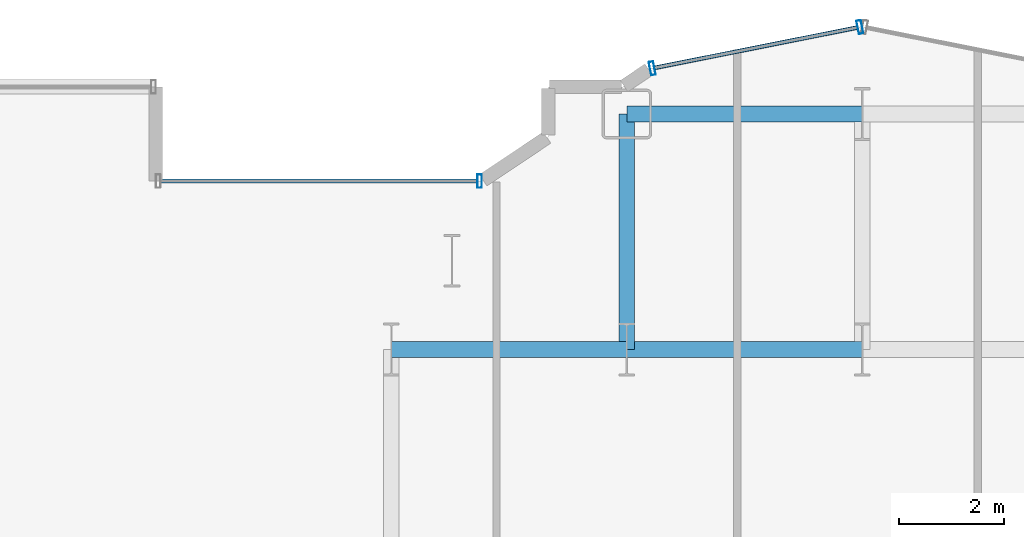
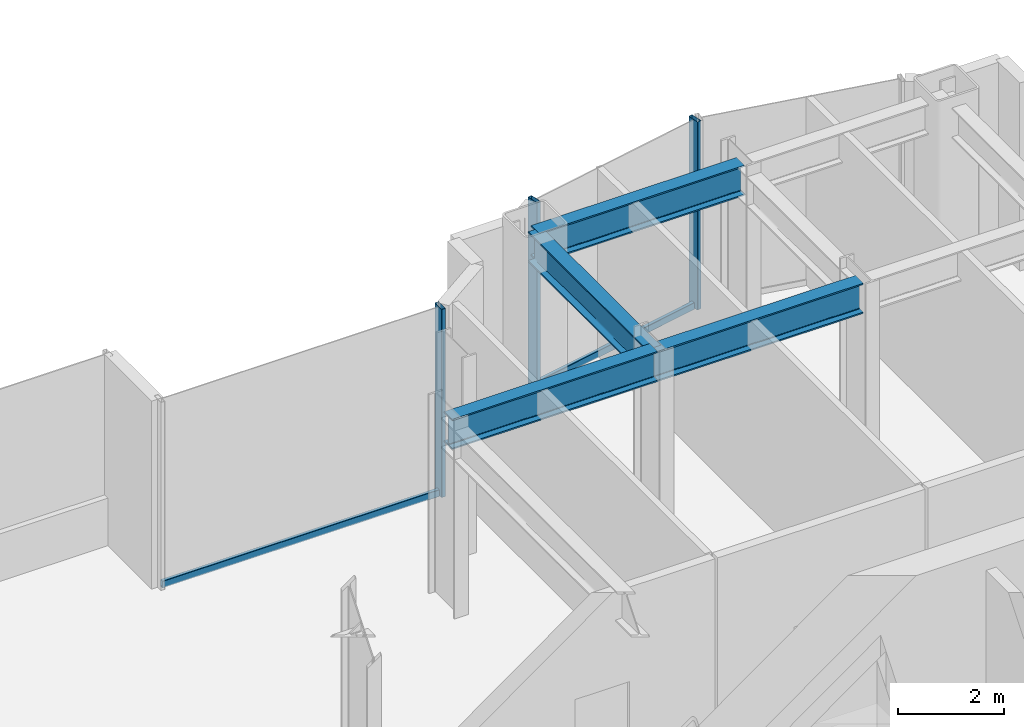
# One storey, part 13 of 30: 5 members, 4 beams, 2 elements without a shape of their own.
"""IFC4 building model written with IfcOpenShell, lengths in metres."""

from ifc_helpers import new_model, si_unit, direction, frame, origin, origin_2d, place, context, subcontext, project, spatial, hollow_rectangle, i_section, extrude, source, transform, mapped, material, layer, layer_set, material_profile, profile_set, type_object, element, aggregate, save


model = new_model("IFC4")

# Units and contexts
model_context = context("Model", 3, precision=1e-05, world=origin(), true_north=direction((0.0, 1.0)))
body_context = subcontext(model_context, "Body", "Model", "MODEL_VIEW")
ifc_project = project(units=[si_unit("LENGTHUNIT", "METRE"), si_unit("AREAUNIT", "SQUARE_METRE"), si_unit("VOLUMEUNIT", "CUBIC_METRE"), si_unit("PLANEANGLEUNIT", "RADIAN"), si_unit("MASSUNIT", "GRAM", prefix="KILO")], contexts=[model_context])

# Site, building, storey
site_placement = place(None, origin())
site = spatial("IfcSite", under=ifc_project, at=site_placement, CompositionType="ELEMENT")
building_placement = place(site_placement, origin())
building = spatial("IfcBuilding", under=site, at=building_placement, Name="Nefas-Gora Pilgrimage Tower", CompositionType="ELEMENT")
storey_placement = place(building_placement, frame((0.0, 0.0, 86.199951171875)))
storey = spatial("IfcBuildingStorey", under=building, at=storey_placement, Name="L20", CompositionType="ELEMENT", Elevation=86.199951171875)

# Beams
ifc_material_1 = material(Name="Steel S355", Category="steel")
ifc_material_profile_1 = material_profile(ifc_material_1, i_section(OverallWidth=0.300048828125, OverallDepth=0.699951171875, WebThickness=0.01708984375, FlangeThickness=0.031982421875, FilletRadius=0.027099609375, at=origin_2d()), Name="HEB 700")
ifc_profile_set_1 = profile_set([ifc_material_profile_1], Name="Steel S355")
beam_type = type_object("IfcBeamType", Name="BM-GIR-HEB700", PredefinedType="BEAM", material=ifc_profile_set_1)
shared_shape_1 = source(origin(), body_context, "Body", "SweptSolid", [
    extrude(i_section(OverallWidth=0.300048828125, OverallDepth=0.699951171875, WebThickness=0.01708984375, FlangeThickness=0.031982421875, FilletRadius=0.027099609375, at=origin_2d()), origin(), (0.0, 0.0, 1.0), 4.5),
])
for number, where, z_axis, x_axis, name in (
    (1, (-11.25, 18.0, 4.0), (1.0, 0.0, 0.0), (0.0, 1.0, 0.0), "L20 G-02 beam"),
    (2, (-6.75, 18.0, 4.0), (0.0, 1.0, 0.0), (-1.0, 0.0, 0.0), "L20 G-02 beam"),
    (3, (-6.75, 18.0, 4.0), (1.0, 0.0, 0.0), (0.0, 1.0, 0.0), "L20 G-02 beam"),
    (4, (-6.75, 22.5, 4.0), (1.0, 0.0, 0.0), (0.0, 1.0, 0.0), "L20 G-02 beam"),
):
    element("IfcBeam", number, at=place(storey_placement, frame(where, z_axis=z_axis, x_axis=x_axis)), inside=storey, type_object=beam_type, Name=name, PredefinedType="BEAM", context=body_context, shape_type="MappedRepresentation", body=[
        mapped(shared_shape_1, transform((0.0, 0.0, 0.0), x_axis=(1.0, 0.0, 0.0), y_axis=(0.0, 1.0, 0.0), z_axis=(0.0, 0.0, 1.0), scale=1.0)),
    ])

# Curtain wall, member
ifc_material_2 = material(Name="Dark ceramic-fritted solar-control aluminium-glass curtain wall", Category="aluminium")
ifc_layer = layer(ifc_material_2, 0.219970703125)
ifc_layer_set = layer_set([ifc_layer], Name="Dark ceramic-fritted solar-control aluminium-glass curtain wall")
curtain_wall_type = type_object("IfcCurtainWallType", Name="CW-SYS-5", PredefinedType="NOTDEFINED", material=ifc_layer_set)
curtain_wall_1_placement = place(storey_placement, origin())
curtain_wall_1 = element("IfcCurtainWall", 5, at=curtain_wall_1_placement, inside=storey, type_object=curtain_wall_type, Name="L20 Unitised Curtain Wall CW5", PredefinedType="NOTDEFINED")
ifc_material_3 = material(Name="Anodised architectural aluminium", Category="aluminium")
ifc_material_profile_2 = material_profile(ifc_material_3, hollow_rectangle(XDim=0.080078125, YDim=0.159912109375, WallThickness=0.00439453125, InnerFilletRadius=0.00439453125, OuterFilletRadius=0.009033203125, at=origin_2d()), Name="ALU TRANSOM 80x160")
ifc_profile_set_2 = profile_set([ifc_material_profile_2], Name="Anodised architectural aluminium")
member_type_1 = type_object("IfcMemberType", Name="CWM-TRN-5", PredefinedType="USERDEFINED", material=ifc_profile_set_2)
shared_shape_2 = source(origin(), body_context, "Body", "SweptSolid", [
    extrude(hollow_rectangle(XDim=0.080078125, YDim=0.159912109375, WallThickness=0.00439453125, InnerFilletRadius=0.00439453125, OuterFilletRadius=0.009033203125, at=origin_2d()), origin(), (0.0, 0.0, 1.0), 6.052001953125),
])
member_1_placement = place(storey_placement, frame((-9.60791015625, 21.219970703125, 0.050048828125), z_axis=(-1.0, 0.0, 0.0), x_axis=(0.0, -1.0, 0.0)))
member_1 = element("IfcMember", 6, at=member_1_placement, type_object=member_type_1, Name="CW5 Spandrel Transom", ObjectType="TRANSOM", PredefinedType="USERDEFINED", context=body_context, shape_type="MappedRepresentation", body=[
    mapped(shared_shape_2, transform((0.0, 0.0, 0.0), x_axis=(1.0, 0.0, 0.0), y_axis=(0.0, 1.0, 0.0), z_axis=(0.0, 0.0, 1.0), scale=1.0)),
])

# Curtain wall, members
curtain_wall_2_placement = place(storey_placement, origin())
curtain_wall_2 = element("IfcCurtainWall", 7, at=curtain_wall_2_placement, inside=storey, type_object=curtain_wall_type, Name="L20 Unitised Curtain Wall CW5", PredefinedType="NOTDEFINED")
shared_shape_3 = source(origin(), body_context, "Body", "SweptSolid", [
    extrude(hollow_rectangle(XDim=0.080078125, YDim=0.159912109375, WallThickness=0.00439453125, InnerFilletRadius=0.00439453125, OuterFilletRadius=0.009033203125, at=origin_2d()), origin(), (0.0, 0.0, 1.0), 3.95654296875),
])
member_2_placement = place(storey_placement, frame((-2.33837890625, 24.15478515625, 0.050048828125), z_axis=(-0.980781880918, -0.195107411605, 0.0), x_axis=(0.195107411605, -0.980781880918, 0.0)))
member_2 = element("IfcMember", 8, at=member_2_placement, type_object=member_type_1, Name="CW5 Spandrel Transom", ObjectType="TRANSOM", PredefinedType="USERDEFINED", context=body_context, shape_type="MappedRepresentation", body=[
    mapped(shared_shape_3, transform((0.0, 0.0, 0.0), x_axis=(1.0, 0.0, 0.0), y_axis=(0.0, 1.0, 0.0), z_axis=(0.0, 0.0, 1.0), scale=1.0)),
])
ifc_material_profile_3 = material_profile(ifc_material_3, hollow_rectangle(XDim=0.090087890625, YDim=0.260009765625, WallThickness=0.006103515625, InnerFilletRadius=0.006103515625, OuterFilletRadius=0.011962890625, at=origin_2d()), Name="ALU MULLION 90x260")
ifc_profile_set_3 = profile_set([ifc_material_profile_3], Name="Anodised architectural aluminium")
member_type_2 = type_object("IfcMemberType", Name="CWM-MUL-5", PredefinedType="MULLION", material=ifc_profile_set_3)
shared_shape_4 = source(origin(), body_context, "Body", "SweptSolid", [
    extrude(hollow_rectangle(XDim=0.090087890625, YDim=0.260009765625, WallThickness=0.006103515625, InnerFilletRadius=0.006103515625, OuterFilletRadius=0.011962890625, at=origin_2d()), origin(), (0.0, 0.0, 1.0), 4.35009765625),
])
member_3_placement = place(storey_placement, frame((-2.294189453125, 24.16357421875, 0.0), z_axis=(0.0, 0.0, 1.0), x_axis=(-0.980782896852, -0.195102304554, 0.0)))
member_3 = element("IfcMember", 9, at=member_3_placement, type_object=member_type_2, Name="CW5 Mullion 1", PredefinedType="MULLION", context=body_context, shape_type="MappedRepresentation", body=[
    mapped(shared_shape_4, transform((0.0, 0.0, 0.0), x_axis=(1.0, 0.0, 0.0), y_axis=(0.0, 1.0, 0.0), z_axis=(0.0, 0.0, 1.0), scale=1.0)),
])
member_4_placement = place(storey_placement, frame((-6.26318359375, 23.3740234375, 0.0), z_axis=(0.0, 0.0, 1.0), x_axis=(-0.980782896852, -0.195102304554, 0.0)))
member_4 = element("IfcMember", 10, at=member_4_placement, type_object=member_type_2, Name="CW5 Mullion 2", PredefinedType="MULLION", context=body_context, shape_type="MappedRepresentation", body=[
    mapped(shared_shape_4, transform((0.0, 0.0, 0.0), x_axis=(1.0, 0.0, 0.0), y_axis=(0.0, 1.0, 0.0), z_axis=(0.0, 0.0, 1.0), scale=1.0)),
])
aggregate(curtain_wall_2, [member_3, member_4, member_2])

# Member
member_5_placement = place(storey_placement, frame((-9.56298828125, 21.219970703125, 0.0), z_axis=(0.0, 0.0, 1.0), x_axis=(-1.0, 0.0, 0.0)))
member_5 = element("IfcMember", 11, at=member_5_placement, type_object=member_type_2, Name="CW5 Mullion 1", PredefinedType="MULLION", context=body_context, shape_type="MappedRepresentation", body=[
    mapped(shared_shape_4, transform((0.0, 0.0, 0.0), x_axis=(1.0, 0.0, 0.0), y_axis=(0.0, 1.0, 0.0), z_axis=(0.0, 0.0, 1.0), scale=1.0)),
])

aggregate(curtain_wall_1, [member_5, member_1])

save(model, "model.ifc")
